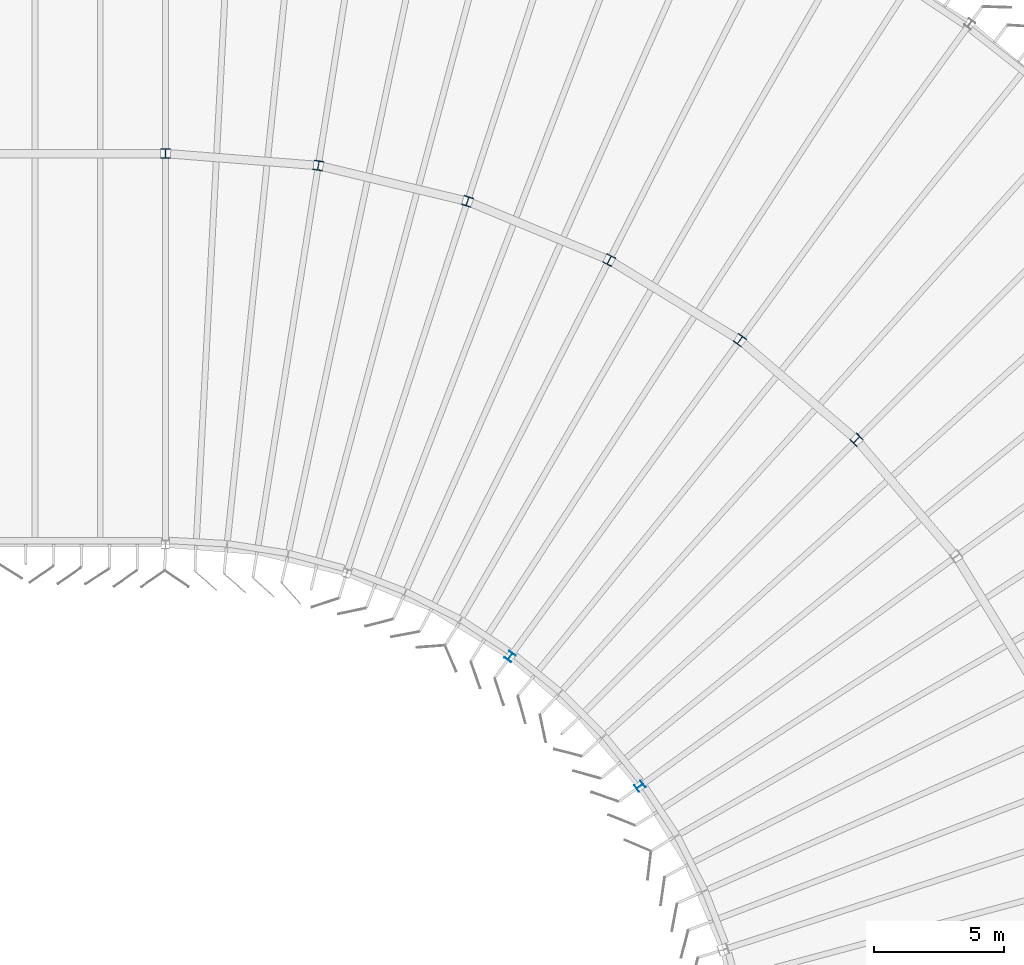
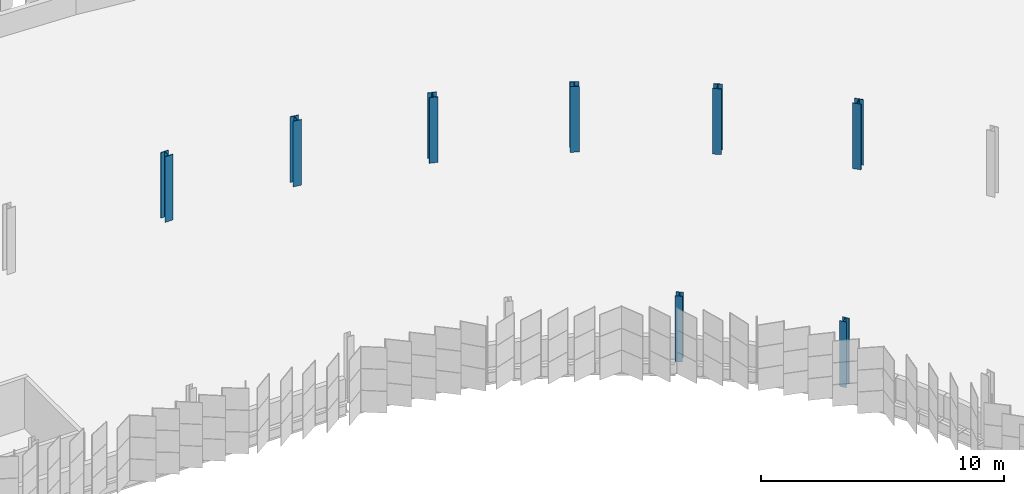
# One storey, part 28 of 214: 8 columns.
"""IFC4 building model written with IfcOpenShell, lengths in metres."""

from ifc_helpers import new_model, si_unit, direction, frame, origin, origin_2d, place, context, subcontext, project, spatial, i_section, extrude, material, material_profile, profile_set, type_object, element, save


model = new_model("IFC4")

# Units and contexts
model_context = context("Model", 3, precision=1e-05, world=origin(), true_north=direction((0.0, 1.0)))
body_context = subcontext(model_context, "Body", "Model", "MODEL_VIEW")
ifc_project = project(units=[si_unit("LENGTHUNIT", "METRE"), si_unit("AREAUNIT", "SQUARE_METRE"), si_unit("VOLUMEUNIT", "CUBIC_METRE"), si_unit("PLANEANGLEUNIT", "RADIAN"), si_unit("MASSUNIT", "GRAM", prefix="KILO")], contexts=[model_context])

# Site, building, storey
site_placement = place(None, origin())
site = spatial("IfcSite", under=ifc_project, at=site_placement, CompositionType="ELEMENT")
building_placement = place(site_placement, origin())
building = spatial("IfcBuilding", under=site, at=building_placement, Name="Parallax Yard Mobility Hub", CompositionType="ELEMENT")
storey_placement = place(building_placement, frame((0.0, 0.0, 3.300048828125)))
storey = spatial("IfcBuildingStorey", under=building, at=storey_placement, Name="L01", CompositionType="ELEMENT", Elevation=3.300048828125)

# Columns
ifc_material = material(Name="Steel ASTM A992", Category="steel")
ifc_material_profile_1 = material_profile(ifc_material, i_section(OverallWidth=0.306884765625, OverallDepth=0.318115234375, WebThickness=0.01318359375, FlangeThickness=0.0205078125, FilletRadius=0.01513671875, at=origin_2d()), Name="W310x129")
ifc_profile_set_1 = profile_set([ifc_material_profile_1], Name="Steel ASTM A992")
column_type_1 = type_object("IfcColumnType", Name="W310x129 column", PredefinedType="COLUMN", material=ifc_profile_set_1)
for number, where, z_axis, x_axis, name in (
    (1, (185.72509765625, 108.202880859375, 0.0), (0.0, 0.0, 1.0), (-0.809016994375, 0.587785252292, 0.0), "Column C3 level L01 at RA/R4 of ramped parking decks"),
    (2, (190.702880859375, 103.22509765625, 0.0), (0.0, 0.0, 1.0), (-0.587785252292, 0.809016994375, 0.0), "Column C3 level L01 at RA/R6 of ramped parking decks"),
):
    element("IfcColumn", number, at=place(storey_placement, frame(where, z_axis=z_axis, x_axis=x_axis)), inside=storey, type_object=column_type_1, Name=name, PredefinedType="COLUMN", context=body_context, shape_type="SweptSolid", body=[
        extrude(i_section(OverallWidth=0.306884765625, OverallDepth=0.318115234375, WebThickness=0.01318359375, FlangeThickness=0.0205078125, FilletRadius=0.01513671875, at=origin_2d()), origin(), (0.0, 0.0, 1.0), 3.300048828125),
    ])
ifc_material_profile_2 = material_profile(ifc_material, i_section(OverallWidth=0.373046875, OverallDepth=0.367919921875, WebThickness=0.014892578125, FlangeThickness=0.02392578125, FilletRadius=0.01513671875, at=origin_2d()), Name="W360x179")
ifc_profile_set_2 = profile_set([ifc_material_profile_2], Name="Steel ASTM A992")
column_type_2 = type_object("IfcColumnType", Name="W360x179 column", PredefinedType="COLUMN", material=ifc_profile_set_2)
for number, where, z_axis, x_axis, name in (
    (3, (178.3662109375, 127.038330078125, 0.0), (0.0, 0.0, 1.0), (-0.987688340595, 0.15643446504, 0.0), "Column C7 level L01 at RB/R1 of ramped parking decks"),
    (4, (184.088134765625, 125.66455078125, 0.0), (0.0, 0.0, 1.0), (-0.951056516295, 0.309016994375, 0.0), "Column C7 level L01 at RB/R2 of ramped parking decks"),
    (5, (189.524658203125, 123.41259765625, 0.0), (0.0, 0.0, 1.0), (-0.891006524188, 0.45399049974, 0.0), "Column C7 level L01 at RB/R3 of ramped parking decks"),
    (6, (194.5419921875, 120.338134765625, 0.0), (0.0, 0.0, 1.0), (-0.809016994375, 0.587785252292, 0.0), "Column C7 level L01 at RB/R4 of ramped parking decks"),
    (7, (199.0166015625, 116.5166015625, 0.0), (0.0, 0.0, 1.0), (-0.707106781187, 0.707106781187, 0.0), "Column C7 level L01 at RB/R5 of ramped parking decks"),
):
    element("IfcColumn", number, at=place(storey_placement, frame(where, z_axis=z_axis, x_axis=x_axis)), inside=storey, type_object=column_type_2, Name=name, PredefinedType="COLUMN", context=body_context, shape_type="SweptSolid", body=[
        extrude(i_section(OverallWidth=0.373046875, OverallDepth=0.367919921875, WebThickness=0.014892578125, FlangeThickness=0.02392578125, FilletRadius=0.01513671875, at=origin_2d()), origin(), (0.0, 0.0, 1.0), 3.300048828125),
    ])
ifc_material_profile_3 = material_profile(ifc_material, i_section(OverallWidth=0.373046875, OverallDepth=0.373046875, WebThickness=0.016357421875, FlangeThickness=0.026123046875, FilletRadius=0.01513671875, at=origin_2d()), Name="W360x196")
ifc_profile_set_3 = profile_set([ifc_material_profile_3], Name="Steel ASTM A992")
column_type_3 = type_object("IfcColumnType", Name="W360x196 column", PredefinedType="COLUMN", material=ifc_profile_set_3)
column_placement = place(storey_placement, frame((172.5, 127.5, 0.0), z_axis=(0.0, 0.0, 1.0), x_axis=(1.0, 0.0, 0.0)))
element("IfcColumn", 8, at=column_placement, inside=storey, type_object=column_type_3, Name="Column C8 level L01 at T/24 of ramped parking decks", PredefinedType="COLUMN", context=body_context, shape_type="SweptSolid", body=[
    extrude(i_section(OverallWidth=0.373046875, OverallDepth=0.373046875, WebThickness=0.016357421875, FlangeThickness=0.026123046875, FilletRadius=0.01513671875, at=origin_2d()), origin(), (0.0, 0.0, 1.0), 3.300048828125),
])

save(model, "model.ifc")
